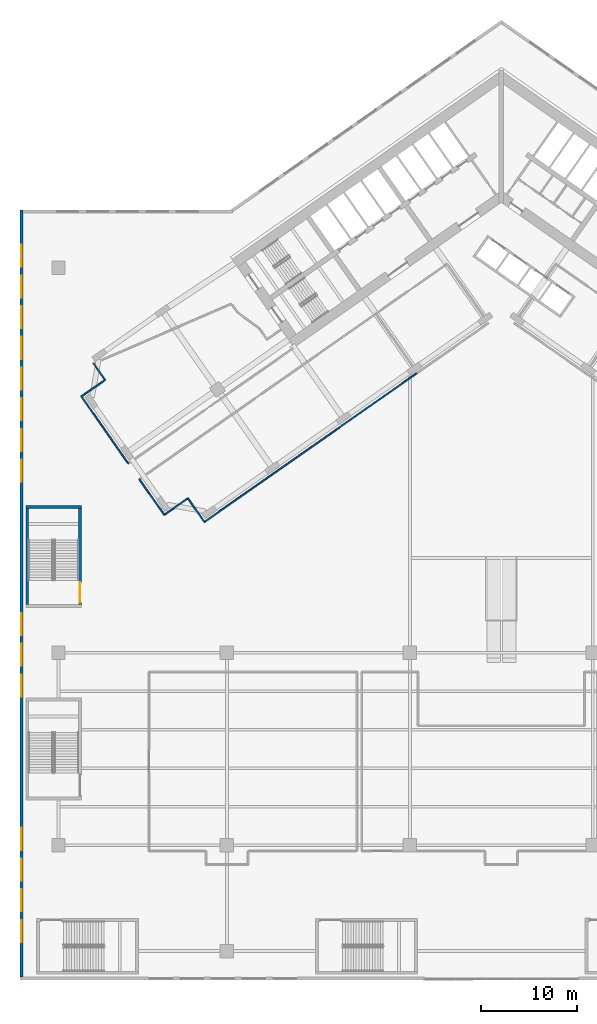
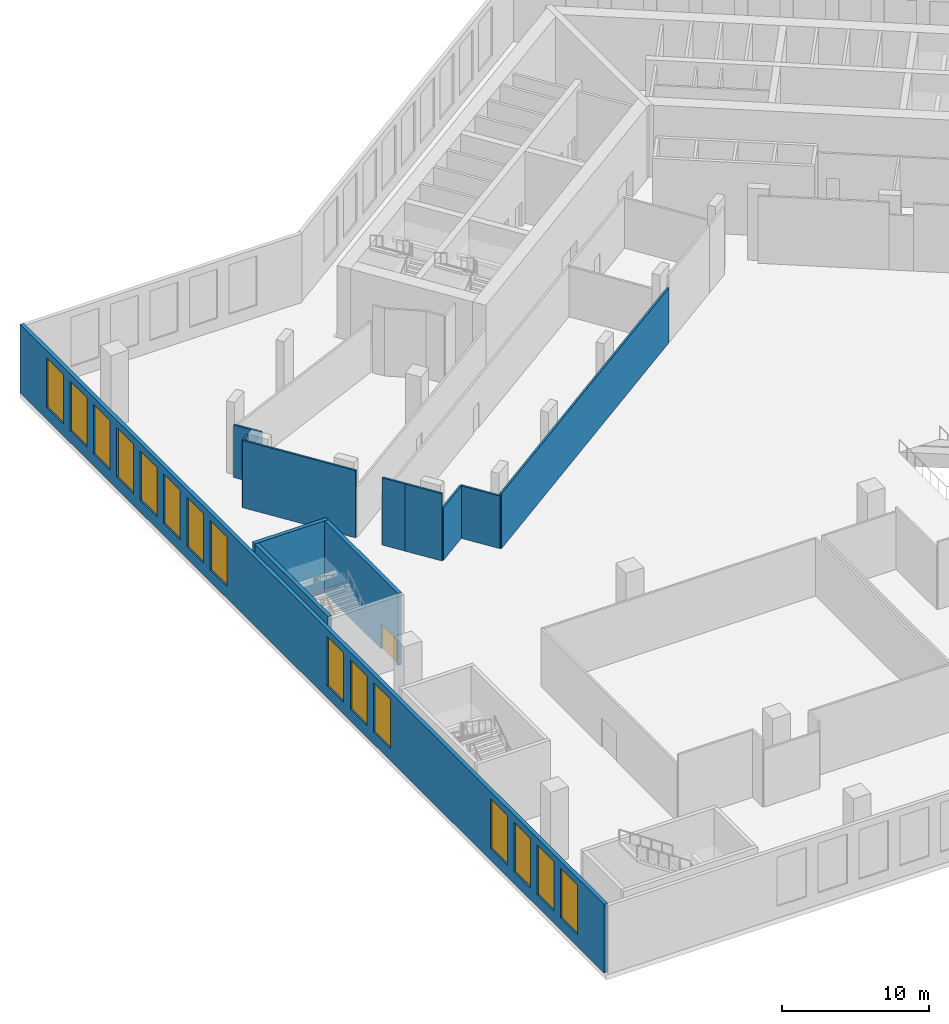
# One storey, part 6 of 25: 15 windows, 13 walls, 1 door, 16 openings.
"""IFC4 building model written with IfcOpenShell, lengths in metres."""

import ifcopenshell
import ifcopenshell.guid

model = None  # the IFC model being written
_history = None  # IfcOwnerHistory: only IFC2X3 demands one
_inside = {}  # id of a spatial element -> (the spatial element, [elements in it])
_under = {}  # id of a project, library or spatial element -> (it, [spatial elements below it])
_declared = {}  # id of a project -> (the project, [libraries it declares])
_typed = {}  # id of a type object -> (the type object, [elements of that type])
_made_of = {}  # id of a material, layer set ... -> (it, [elements and type objects made of it])


def new_model(schema):
    """Start an empty IFC model of exactly this schema.

    Asked for "IFC4X3", IfcOpenShell would pick the latest addendum, in which some entities
    have other attributes; the version numbers below select the first issue.
    IFC2X3 requires an IfcOwnerHistory on every rooted entity: one is made here for all.
    """
    global model, _history
    if schema == "IFC4X3":
        model = ifcopenshell.file(schema_version=(4, 3, 0, 0))
    else:
        model = ifcopenshell.file(schema=schema)
    _inside.clear()
    _under.clear()
    _declared.clear()
    _typed.clear()
    _made_of.clear()
    _history = None
    if model.schema == "IFC2X3":
        org = make("IfcOrganization", Name="unknown")
        user = make(
            "IfcPersonAndOrganization",
            ThePerson=make("IfcPerson", FamilyName="unknown"),
            TheOrganization=org,
        )
        app = make(
            "IfcApplication",
            ApplicationDeveloper=org,
            Version="unknown",
            ApplicationFullName="unknown",
            ApplicationIdentifier="unknown",
        )
        _history = make(
            "IfcOwnerHistory",
            OwningUser=user,
            OwningApplication=app,
            ChangeAction="ADDED",
            CreationDate=0,
        )
    return model


def make(cls, **values):
    """One entity of the class cls with the attributes given. An attribute that is None is left unset."""
    return model.create_entity(
        cls, **{name: value for name, value in values.items() if value is not None}
    )


def rooted(cls, **values):
    """An entity with a GlobalId (a new one), such as an element, a storey or a relation."""
    return make(cls, GlobalId=ifcopenshell.guid.new(), OwnerHistory=_history, **values)


def si_unit(unit_type, name, prefix=None):
    """IfcSIUnit, for example si_unit("LENGTHUNIT", "METRE", prefix="MILLI")."""
    return make("IfcSIUnit", UnitType=unit_type, Prefix=prefix, Name=name)


def assignment(units):
    """IfcUnitAssignment: the units of a project."""
    return None if units is None else make("IfcUnitAssignment", Units=units)


def point(xyz):
    """IfcCartesianPoint."""
    return None if xyz is None else make("IfcCartesianPoint", Coordinates=xyz)


def direction(xyz):
    """IfcDirection."""
    return None if xyz is None else make("IfcDirection", DirectionRatios=xyz)


def frame(location, z_axis=None, x_axis=None):
    """IfcAxis2Placement3D, a coordinate frame: its origin and axes. An axis left out is left unset."""
    return make(
        "IfcAxis2Placement3D",
        Location=point(location),
        Axis=direction(z_axis),
        RefDirection=direction(x_axis),
    )


def frame_2d(location, x_axis=None):
    """IfcAxis2Placement2D, a coordinate frame in the plane: its origin and x axis."""
    return make(
        "IfcAxis2Placement2D", Location=point(location), RefDirection=direction(x_axis)
    )


def origin():
    """The frame at (0, 0, 0) with its axes left unset."""
    return frame((0.0, 0.0, 0.0))


def place(relative_to, where):
    """IfcLocalPlacement: puts the frame where relative to a parent placement (None: the world)."""
    return make(
        "IfcLocalPlacement", PlacementRelTo=relative_to, RelativePlacement=where
    )


def context(
    kind, dimensions, precision=None, world=None, true_north=None, identifier=None
):
    """IfcGeometricRepresentationContext, for example the 3D "Model" context."""
    return make(
        "IfcGeometricRepresentationContext",
        ContextIdentifier=identifier,
        ContextType=kind,
        CoordinateSpaceDimension=dimensions,
        Precision=precision,
        WorldCoordinateSystem=world,
        TrueNorth=true_north,
    )


def subcontext(parent, identifier, kind, view, scale=None):
    """IfcGeometricRepresentationSubContext, for example "Body" below "Model"."""
    return make(
        "IfcGeometricRepresentationSubContext",
        ContextIdentifier=identifier,
        ContextType=kind,
        ParentContext=parent,
        TargetScale=scale,
        TargetView=view,
    )


def project(units=None, contexts=None):
    """IfcProject with its units and contexts."""
    return rooted(
        "IfcProject",
        Name="project",
        RepresentationContexts=contexts,
        UnitsInContext=assignment(units),
    )


def spatial(cls, under=None, at=None, **own):
    """A site, building, storey or space (cls), placed at a placement, below another one or the project."""
    s = rooted(cls, ObjectPlacement=at, **own)
    if under is not None:
        _under.setdefault(under.id(), (under, []))[1].append(s)
    return s


def profile(cls, at=None, kind="AREA", **sizes):
    """A parametric profile (cls). Its sizes go by their IFC names, for example OverallWidth=200.0."""
    return make(cls, ProfileType=kind, Position=at, **sizes)


def rectangle(**sizes):
    """IfcRectangleProfileDef."""
    return profile("IfcRectangleProfileDef", **sizes)


def extrude(swept, where, along, depth):
    """IfcExtrudedAreaSolid: the profile swept, set in the frame where, extruded along a direction by depth."""
    return make(
        "IfcExtrudedAreaSolid",
        SweptArea=swept,
        Position=where,
        ExtrudedDirection=direction(along),
        Depth=depth,
    )


def shape(context_of_items, identifier, shape_type, items):
    """IfcShapeRepresentation: the items that make up one representation, for example the "Body"."""
    return make(
        "IfcShapeRepresentation",
        ContextOfItems=context_of_items,
        RepresentationIdentifier=identifier,
        RepresentationType=shape_type,
        Items=items,
    )


def material(Name=None, Category=None):
    """IfcMaterial."""
    return make("IfcMaterial", Name=Name, Category=Category)


def layer(
    of_material, thickness, ventilated=None, Name=None, Category=None, Priority=None
):
    """IfcMaterialLayer: one layer of a wall or slab, of a material (None: an air gap)."""
    return make(
        "IfcMaterialLayer",
        Material=of_material,
        LayerThickness=thickness,
        IsVentilated=ventilated,
        Name=Name,
        Category=Category,
        Priority=Priority,
    )


def layer_set(layers, Name=None):
    """IfcMaterialLayerSet."""
    return make("IfcMaterialLayerSet", MaterialLayers=layers, LayerSetName=Name)


def made_of(thing, what):
    """Note that an element or type object is made of a material, layer set ...; save() writes the relation."""
    if what is not None:
        _made_of.setdefault(what.id(), (what, []))[1].append(thing)
    return thing


def type_object(cls, material=None, **own):
    """A type object (cls), such as IfcWallType, which elements share."""
    return made_of(rooted(cls, **own), material)


def element(
    cls,
    number,
    at=None,
    inside=None,
    cuts=None,
    type_object=None,
    material=None,
    context=None,
    identifier="Body",
    shape_type=None,
    held_by="IfcProductDefinitionShape",
    body=None,
    shapes=None,
    **own,
):
    """One element of the class cls, such as IfcWall. Its Tag is "e" and its number.

    at: its placement. inside: the storey or other place that contains it. cuts: it is an
    opening in that element (IfcRelVoidsElement). A single representation is given by context,
    identifier, shape_type and body (its items); several are given by shapes. held_by: the class
    of the entity that holds the representations. save() writes the other relations.
    """
    e = rooted(cls, Tag="e%d" % number, ObjectPlacement=at, **own)
    if body is not None:
        shapes = [shape(context, identifier, shape_type, body)]
    if shapes is not None:
        e.Representation = make(held_by, Representations=shapes)
    if inside is not None:
        _inside.setdefault(inside.id(), (inside, []))[1].append(e)
    if cuts is not None:
        rooted(
            "IfcRelVoidsElement", RelatingBuildingElement=cuts, RelatedOpeningElement=e
        )
    if type_object is not None:
        _typed.setdefault(type_object.id(), (type_object, []))[1].append(e)
    return made_of(e, material)


def fill(opening, filler):
    """IfcRelFillsElement: the door or window that sits in an opening."""
    return rooted(
        "IfcRelFillsElement",
        RelatingOpeningElement=opening,
        RelatedBuildingElement=filler,
    )


def aggregate(whole, parts):
    """IfcRelAggregates: a whole, such as a stair, and the parts it consists of."""
    return rooted("IfcRelAggregates", RelatingObject=whole, RelatedObjects=parts)


def save(model, path):
    """Write the relations noted so far, then the file.

    IfcRelAggregates (storeys below a building ...), IfcRelContainedInSpatialStructure (elements
    in a storey), IfcRelDefinesByType, IfcRelAssociatesMaterial and IfcRelDeclares: one each for
    every whole, place, type object, material and project.
    """
    for whole, parts in _under.values():
        aggregate(whole, parts)
    for where, things in _inside.values():
        rooted(
            "IfcRelContainedInSpatialStructure",
            RelatedElements=things,
            RelatingStructure=where,
        )
    for kind, things in _typed.values():
        rooted("IfcRelDefinesByType", RelatedObjects=things, RelatingType=kind)
    for what, things in _made_of.values():
        rooted("IfcRelAssociatesMaterial", RelatedObjects=things, RelatingMaterial=what)
    for by, libraries in _declared.values():
        rooted("IfcRelDeclares", RelatingContext=by, RelatedDefinitions=libraries)
    model.write(path)


model = new_model("IFC4")

# Units and contexts
model_context = context("Model", 3, precision=1e-05, world=origin(), true_north=direction((0.0, 1.0)))
body_context = subcontext(model_context, "Body", "Model", "MODEL_VIEW")
ifc_project = project(units=[si_unit("LENGTHUNIT", "METRE"), si_unit("AREAUNIT", "SQUARE_METRE"), si_unit("VOLUMEUNIT", "CUBIC_METRE"), si_unit("PLANEANGLEUNIT", "RADIAN"), si_unit("MASSUNIT", "GRAM", prefix="KILO")], contexts=[model_context])

# Site, building, storey
site_placement = place(None, origin())
site = spatial("IfcSite", under=ifc_project, at=site_placement, CompositionType="ELEMENT")
building_placement = place(site_placement, origin())
building = spatial("IfcBuilding", under=site, at=building_placement, Name="Tel Ilan Convention Tower", CompositionType="ELEMENT")
storey_placement = place(building_placement, frame((0.0, 0.0, 26.0)))
storey = spatial("IfcBuildingStorey", under=building, at=storey_placement, Name="L03", CompositionType="ELEMENT", Elevation=26.0)

# Walls
ifc_material_1 = material(Name="Plasterboard on Steel Studs", Category="steel")
ifc_layer_1 = layer(ifc_material_1, 0.14990234375)
ifc_layer_set_1 = layer_set([ifc_layer_1], Name="Fire-rated Partition 150 EI 60")
wall_type_1 = type_object("IfcWallType", Name="Fire-rated Partition 150 EI 60", PredefinedType="PARTITIONING", material=ifc_layer_set_1)
wall_1_placement = place(storey_placement, frame((-35.016845703125, -33.676025390625, 0.0), z_axis=(0.0, 0.0, 1.0), x_axis=(0.81917072002, 0.573549763719, 0.0)))
element("IfcWall", 1, at=wall_1_placement, inside=storey, type_object=wall_type_1, Name="Partition 040", PredefinedType="PARTITIONING", context=body_context, shape_type="SweptSolid", body=[
    extrude(rectangle(XDim=2.998779296875, YDim=0.14990234375, at=frame_2d((1.49951171875, 0.0))), origin(), (0.0, 0.0, 1.0), 4.3798828125),
])
wall_2_placement = place(storey_placement, frame((-32.560302734375, -31.9560546875, 0.0), z_axis=(0.0, 0.0, 1.0), x_axis=(0.573604390867, -0.819132469615, 0.0)))
element("IfcWall", 2, at=wall_2_placement, inside=storey, type_object=wall_type_1, Name="Partition 041", PredefinedType="PARTITIONING", context=body_context, shape_type="SweptSolid", body=[
    extrude(rectangle(XDim=2.9990234375, YDim=0.14990234375, at=frame_2d((1.49951171875, 0.0))), origin(), (0.0, 0.0, 1.0), 4.3798828125),
])
wall_3_placement = place(storey_placement, frame((-30.838623046875, -34.412841796875, 0.0), z_axis=(0.0, 0.0, 1.0), x_axis=(0.819150779762, 0.573578242279, 0.0)))
element("IfcWall", 3, at=wall_3_placement, inside=storey, type_object=wall_type_1, Name="Partition 042", PredefinedType="PARTITIONING", context=body_context, shape_type="SweptSolid", body=[
    extrude(rectangle(XDim=27.001708984375, YDim=0.14990234375, at=frame_2d((13.5009765625, 0.0))), origin(), (0.0, 0.0, 1.0), 4.580078125),
])
wall_4_placement = place(storey_placement, frame((-36.59912109375, -31.41845703125, 0.0), z_axis=(0.0, 0.0, 1.0), x_axis=(0.57362881286, -0.819115367367, 0.0)))
element("IfcWall", 4, at=wall_4_placement, inside=storey, type_object=wall_type_1, Name="Partition 043", PredefinedType="PARTITIONING", context=body_context, shape_type="SweptSolid", body=[
    extrude(rectangle(XDim=2.755859375, YDim=0.14990234375, at=frame_2d((1.3779296875, 0.0))), origin(), (0.0, 0.0, 1.0), 5.60009765625),
])
wall_5_placement = place(storey_placement, frame((-42.359375, -17.96142578125, 0.0), z_axis=(0.0, 0.0, 1.0), x_axis=(0.573603984281, -0.819132754331, 0.0)))
element("IfcWall", 5, at=wall_5_placement, inside=storey, type_object=wall_type_1, Name="Partition 046", PredefinedType="PARTITIONING", context=body_context, shape_type="SweptSolid", body=[
    extrude(rectangle(XDim=2.082275390625, YDim=0.14990234375, at=frame_2d((1.041015625, 0.0))), origin(), (0.0, 0.0, 1.0), 4.3798828125),
])
wall_6_placement = place(storey_placement, frame((-41.1650390625, -19.6669921875, 0.0), z_axis=(0.0, 0.0, 1.0), x_axis=(-0.819149945048, -0.573579434366, 0.0)))
element("IfcWall", 6, at=wall_6_placement, inside=storey, type_object=wall_type_1, Name="Partition 047", PredefinedType="PARTITIONING", context=body_context, shape_type="SweptSolid", body=[
    extrude(rectangle(XDim=2.23876953125, YDim=0.14990234375, at=frame_2d((1.119384765625, 0.0))), origin(), (0.0, 0.0, 1.0), 4.3798828125),
])
wall_7_placement = place(storey_placement, frame((-43.621826171875, -21.38720703125, 0.0), z_axis=(0.0, 0.0, 1.0), x_axis=(0.573487395822, -0.819214383928, 0.0)))
element("IfcWall", 7, at=wall_7_placement, inside=storey, type_object=wall_type_1, Name="Partition 062", PredefinedType="PARTITIONING", context=body_context, shape_type="SweptSolid", body=[
    extrude(rectangle(XDim=8.502685546875, YDim=0.14990234375, at=frame_2d((4.25146484375, 0.0))), origin(), (0.0, 0.0, 1.0), 5.60009765625),
])
wall_8_placement = place(storey_placement, frame((-43.0, -20.951904296875, 0.0), z_axis=(0.0, 0.0, 1.0), x_axis=(-0.819216809636, -0.573483930734, 0.0)))
element("IfcWall", 8, at=wall_8_placement, inside=storey, type_object=wall_type_1, Name="Partition 063", PredefinedType="PARTITIONING", context=body_context, shape_type="SweptSolid", body=[
    extrude(rectangle(XDim=0.759033203125, YDim=0.14990234375, at=frame_2d((0.37939453125, 0.0))), origin(), (0.0, 0.0, 1.0), 5.60009765625),
])
wall_9_placement = place(storey_placement, frame((-37.600341796875, -29.98828125, 0.0), z_axis=(0.0, 0.0, 1.0), x_axis=(0.573518712821, -0.819192459709, 0.0)))
element("IfcWall", 9, at=wall_9_placement, inside=storey, type_object=wall_type_1, Name="Partition 064", PredefinedType="PARTITIONING", context=body_context, shape_type="SweptSolid", body=[
    extrude(rectangle(XDim=1.744140625, YDim=0.14990234375, at=frame_2d((0.8720703125, 0.0))), origin(), (0.0, 0.0, 1.0), 5.60009765625),
])

# Wall, openings, windows
ifc_material_2 = material(Name="Bronze aluminium cladding panel on insulated steel frame", Category="steel")
ifc_layer_2 = layer(ifc_material_2, 0.300048828125)
ifc_layer_set_2 = layer_set([ifc_layer_2], Name="PODIUM CLADDING WALL 300")
wall_type_2 = type_object("IfcWallType", Name="PODIUM CLADDING WALL 300", PredefinedType="SOLIDWALL", material=ifc_layer_set_2)
wall_10_placement = place(storey_placement, frame((-49.85009765625, -81.699951171875, 0.0), z_axis=(0.0, 0.0, 1.0), x_axis=(0.0, 1.0, 0.0)))
wall_10 = element("IfcWall", 10, at=wall_10_placement, inside=storey, type_object=wall_type_2, Name="Podium cladding wall", PredefinedType="SOLIDWALL", context=body_context, shape_type="SweptSolid", body=[
    extrude(rectangle(XDim=79.699951171875, YDim=0.300048828125, at=frame_2d((39.85009765625, 0.0))), origin(), (0.0, 0.0, 1.0), 5.719970703125),
])
opening_1_placement = place(wall_10_placement, frame((3.637939453125, 0.0, 1.0)))
opening_1 = element("IfcOpeningElement", 11, at=opening_1_placement, cuts=wall_10, Name="Opening W-06.011", PredefinedType="OPENING", context=body_context, shape_type="SweptSolid", body=[
    extrude(rectangle(XDim=2.2880859375, YDim=4.1201171875, at=frame_2d((1.14404296875, 2.06005859375))), frame((0.0, 0.159912109375, 0.0), z_axis=(0.0, -1.0, 0.0), x_axis=(1.0, 0.0, 0.0)), (0.0, 0.0, 1.0), 0.320068359375),
])
opening_2_placement = place(wall_10_placement, frame((6.825927734375, 0.0, 1.0)))
opening_2 = element("IfcOpeningElement", 12, at=opening_2_placement, cuts=wall_10, Name="Opening W-06.012", PredefinedType="OPENING", context=body_context, shape_type="SweptSolid", body=[
    extrude(rectangle(XDim=2.2880859375, YDim=4.1201171875, at=frame_2d((1.14404296875, 2.06005859375))), frame((0.0, 0.159912109375, 0.0), z_axis=(0.0, -1.0, 0.0), x_axis=(1.0, 0.0, 0.0)), (0.0, 0.0, 1.0), 0.320068359375),
])
opening_3_placement = place(wall_10_placement, frame((10.013916015625, 0.0, 1.0)))
opening_3 = element("IfcOpeningElement", 13, at=opening_3_placement, cuts=wall_10, Name="Opening W-06.013", PredefinedType="OPENING", context=body_context, shape_type="SweptSolid", body=[
    extrude(rectangle(XDim=2.2880859375, YDim=4.1201171875, at=frame_2d((1.14404296875, 2.06005859375))), frame((0.0, 0.159912109375, 0.0), z_axis=(0.0, -1.0, 0.0), x_axis=(1.0, 0.0, 0.0)), (0.0, 0.0, 1.0), 0.320068359375),
])
opening_4_placement = place(wall_10_placement, frame((13.201904296875, 0.0, 1.0)))
opening_4 = element("IfcOpeningElement", 14, at=opening_4_placement, cuts=wall_10, Name="Opening W-06.014", PredefinedType="OPENING", context=body_context, shape_type="SweptSolid", body=[
    extrude(rectangle(XDim=2.2880859375, YDim=4.1201171875, at=frame_2d((1.14404296875, 2.06005859375))), frame((0.0, 0.159912109375, 0.0), z_axis=(0.0, -1.0, 0.0), x_axis=(1.0, 0.0, 0.0)), (0.0, 0.0, 1.0), 0.320068359375),
])
opening_5_placement = place(wall_10_placement, frame((29.14208984375, 0.0, 1.0)))
opening_5 = element("IfcOpeningElement", 15, at=opening_5_placement, cuts=wall_10, Name="Opening W-06.015", PredefinedType="OPENING", context=body_context, shape_type="SweptSolid", body=[
    extrude(rectangle(XDim=2.2880859375, YDim=4.1201171875, at=frame_2d((1.14404296875, 2.06005859375))), frame((0.0, 0.159912109375, 0.0), z_axis=(0.0, -1.0, 0.0), x_axis=(1.0, 0.0, 0.0)), (0.0, 0.0, 1.0), 0.320068359375),
])
opening_6_placement = place(wall_10_placement, frame((32.330078125, 0.0, 1.0)))
opening_6 = element("IfcOpeningElement", 16, at=opening_6_placement, cuts=wall_10, Name="Opening W-06.016", PredefinedType="OPENING", context=body_context, shape_type="SweptSolid", body=[
    extrude(rectangle(XDim=2.2880859375, YDim=4.1201171875, at=frame_2d((1.14404296875, 2.06005859375))), frame((0.0, 0.159912109375, 0.0), z_axis=(0.0, -1.0, 0.0), x_axis=(1.0, 0.0, 0.0)), (0.0, 0.0, 1.0), 0.320068359375),
])
opening_7_placement = place(wall_10_placement, frame((35.51806640625, 0.0, 1.0)))
opening_7 = element("IfcOpeningElement", 17, at=opening_7_placement, cuts=wall_10, Name="Opening W-06.017", PredefinedType="OPENING", context=body_context, shape_type="SweptSolid", body=[
    extrude(rectangle(XDim=2.2880859375, YDim=4.1201171875, at=frame_2d((1.14404296875, 2.06005859375))), frame((0.0, 0.159912109375, 0.0), z_axis=(0.0, -1.0, 0.0), x_axis=(1.0, 0.0, 0.0)), (0.0, 0.0, 1.0), 0.320068359375),
])
opening_8_placement = place(wall_10_placement, frame((51.4580078125, 0.0, 1.0)))
opening_8 = element("IfcOpeningElement", 18, at=opening_8_placement, cuts=wall_10, Name="Opening W-06.018", PredefinedType="OPENING", context=body_context, shape_type="SweptSolid", body=[
    extrude(rectangle(XDim=2.2880859375, YDim=4.1201171875, at=frame_2d((1.14404296875, 2.06005859375))), frame((0.0, 0.159912109375, 0.0), z_axis=(0.0, -1.0, 0.0), x_axis=(1.0, 0.0, 0.0)), (0.0, 0.0, 1.0), 0.320068359375),
])
opening_9_placement = place(wall_10_placement, frame((54.64599609375, 0.0, 1.0)))
opening_9 = element("IfcOpeningElement", 19, at=opening_9_placement, cuts=wall_10, Name="Opening W-06.019", PredefinedType="OPENING", context=body_context, shape_type="SweptSolid", body=[
    extrude(rectangle(XDim=2.2880859375, YDim=4.1201171875, at=frame_2d((1.14404296875, 2.06005859375))), frame((0.0, 0.159912109375, 0.0), z_axis=(0.0, -1.0, 0.0), x_axis=(1.0, 0.0, 0.0)), (0.0, 0.0, 1.0), 0.320068359375),
])
opening_10_placement = place(wall_10_placement, frame((57.833984375, 0.0, 1.0)))
opening_10 = element("IfcOpeningElement", 20, at=opening_10_placement, cuts=wall_10, Name="Opening W-06.020", PredefinedType="OPENING", context=body_context, shape_type="SweptSolid", body=[
    extrude(rectangle(XDim=2.2880859375, YDim=4.1201171875, at=frame_2d((1.14404296875, 2.06005859375))), frame((0.0, 0.159912109375, 0.0), z_axis=(0.0, -1.0, 0.0), x_axis=(1.0, 0.0, 0.0)), (0.0, 0.0, 1.0), 0.320068359375),
])
opening_11_placement = place(wall_10_placement, frame((61.02197265625, 0.0, 1.0)))
opening_11 = element("IfcOpeningElement", 21, at=opening_11_placement, cuts=wall_10, Name="Opening W-06.021", PredefinedType="OPENING", context=body_context, shape_type="SweptSolid", body=[
    extrude(rectangle(XDim=2.2880859375, YDim=4.1201171875, at=frame_2d((1.14404296875, 2.06005859375))), frame((0.0, 0.159912109375, 0.0), z_axis=(0.0, -1.0, 0.0), x_axis=(1.0, 0.0, 0.0)), (0.0, 0.0, 1.0), 0.320068359375),
])
opening_12_placement = place(wall_10_placement, frame((64.2099609375, 0.0, 1.0)))
opening_12 = element("IfcOpeningElement", 22, at=opening_12_placement, cuts=wall_10, Name="Opening W-06.022", PredefinedType="OPENING", context=body_context, shape_type="SweptSolid", body=[
    extrude(rectangle(XDim=2.2880859375, YDim=4.1201171875, at=frame_2d((1.14404296875, 2.06005859375))), frame((0.0, 0.159912109375, 0.0), z_axis=(0.0, -1.0, 0.0), x_axis=(1.0, 0.0, 0.0)), (0.0, 0.0, 1.0), 0.320068359375),
])
opening_13_placement = place(wall_10_placement, frame((67.39794921875, 0.0, 1.0)))
opening_13 = element("IfcOpeningElement", 23, at=opening_13_placement, cuts=wall_10, Name="Opening W-06.023", PredefinedType="OPENING", context=body_context, shape_type="SweptSolid", body=[
    extrude(rectangle(XDim=2.2880859375, YDim=4.1201171875, at=frame_2d((1.14404296875, 2.06005859375))), frame((0.0, 0.159912109375, 0.0), z_axis=(0.0, -1.0, 0.0), x_axis=(1.0, 0.0, 0.0)), (0.0, 0.0, 1.0), 0.320068359375),
])
opening_14_placement = place(wall_10_placement, frame((70.5859375, 0.0, 1.0)))
opening_14 = element("IfcOpeningElement", 24, at=opening_14_placement, cuts=wall_10, Name="Opening W-06.024", PredefinedType="OPENING", context=body_context, shape_type="SweptSolid", body=[
    extrude(rectangle(XDim=2.2880859375, YDim=4.1201171875, at=frame_2d((1.14404296875, 2.06005859375))), frame((0.0, 0.159912109375, 0.0), z_axis=(0.0, -1.0, 0.0), x_axis=(1.0, 0.0, 0.0)), (0.0, 0.0, 1.0), 0.320068359375),
])
opening_15_placement = place(wall_10_placement, frame((73.77392578125, 0.0, 1.0)))
opening_15 = element("IfcOpeningElement", 25, at=opening_15_placement, cuts=wall_10, Name="Opening W-06.025", PredefinedType="OPENING", context=body_context, shape_type="SweptSolid", body=[
    extrude(rectangle(XDim=2.2880859375, YDim=4.1201171875, at=frame_2d((1.14404296875, 2.06005859375))), frame((0.0, 0.159912109375, 0.0), z_axis=(0.0, -1.0, 0.0), x_axis=(1.0, 0.0, 0.0)), (0.0, 0.0, 1.0), 0.320068359375),
])
ifc_material_3 = material(Name="Aluminium framed glazing, bronze anodised, tinted glass", Category="aluminium")
window_type = type_object("IfcWindowType", Name="PODIUM WINDOW 2288x4120", PartitioningType="SINGLE_PANEL", PredefinedType="WINDOW", material=ifc_material_3)
window_1_placement = place(opening_1_placement, origin())
window_1 = element("IfcWindow", 26, at=window_1_placement, inside=storey, type_object=window_type, Name="Podium window", OverallHeight=4.1201171875, OverallWidth=2.2880859375, PartitioningType="SINGLE_PANEL", PredefinedType="WINDOW", context=body_context, shape_type="SweptSolid", body=[
    extrude(rectangle(XDim=2.2880859375, YDim=4.1201171875, at=frame_2d((1.14404296875, 2.06005859375))), frame((0.0, 0.030029296875, 0.0), z_axis=(0.0, -1.0, 0.0), x_axis=(1.0, 0.0, 0.0)), (0.0, 0.0, 1.0), 0.06005859375),
])
fill(opening_1, window_1)
window_2_placement = place(opening_2_placement, origin())
window_2 = element("IfcWindow", 27, at=window_2_placement, inside=storey, type_object=window_type, Name="Podium window", OverallHeight=4.1201171875, OverallWidth=2.2880859375, PartitioningType="SINGLE_PANEL", PredefinedType="WINDOW", context=body_context, shape_type="SweptSolid", body=[
    extrude(rectangle(XDim=2.2880859375, YDim=4.1201171875, at=frame_2d((1.14404296875, 2.06005859375))), frame((0.0, 0.030029296875, 0.0), z_axis=(0.0, -1.0, 0.0), x_axis=(1.0, 0.0, 0.0)), (0.0, 0.0, 1.0), 0.06005859375),
])
fill(opening_2, window_2)
window_3_placement = place(opening_3_placement, origin())
window_3 = element("IfcWindow", 28, at=window_3_placement, inside=storey, type_object=window_type, Name="Podium window", OverallHeight=4.1201171875, OverallWidth=2.2880859375, PartitioningType="SINGLE_PANEL", PredefinedType="WINDOW", context=body_context, shape_type="SweptSolid", body=[
    extrude(rectangle(XDim=2.2880859375, YDim=4.1201171875, at=frame_2d((1.14404296875, 2.06005859375))), frame((0.0, 0.030029296875, 0.0), z_axis=(0.0, -1.0, 0.0), x_axis=(1.0, 0.0, 0.0)), (0.0, 0.0, 1.0), 0.06005859375),
])
fill(opening_3, window_3)
window_4_placement = place(opening_4_placement, origin())
window_4 = element("IfcWindow", 29, at=window_4_placement, inside=storey, type_object=window_type, Name="Podium window", OverallHeight=4.1201171875, OverallWidth=2.2880859375, PartitioningType="SINGLE_PANEL", PredefinedType="WINDOW", context=body_context, shape_type="SweptSolid", body=[
    extrude(rectangle(XDim=2.2880859375, YDim=4.1201171875, at=frame_2d((1.14404296875, 2.06005859375))), frame((0.0, 0.030029296875, 0.0), z_axis=(0.0, -1.0, 0.0), x_axis=(1.0, 0.0, 0.0)), (0.0, 0.0, 1.0), 0.06005859375),
])
fill(opening_4, window_4)
window_5_placement = place(opening_5_placement, origin())
window_5 = element("IfcWindow", 30, at=window_5_placement, inside=storey, type_object=window_type, Name="Podium window", OverallHeight=4.1201171875, OverallWidth=2.2880859375, PartitioningType="SINGLE_PANEL", PredefinedType="WINDOW", context=body_context, shape_type="SweptSolid", body=[
    extrude(rectangle(XDim=2.2880859375, YDim=4.1201171875, at=frame_2d((1.14404296875, 2.06005859375))), frame((0.0, 0.030029296875, 0.0), z_axis=(0.0, -1.0, 0.0), x_axis=(1.0, 0.0, 0.0)), (0.0, 0.0, 1.0), 0.06005859375),
])
fill(opening_5, window_5)
window_6_placement = place(opening_6_placement, origin())
window_6 = element("IfcWindow", 31, at=window_6_placement, inside=storey, type_object=window_type, Name="Podium window", OverallHeight=4.1201171875, OverallWidth=2.2880859375, PartitioningType="SINGLE_PANEL", PredefinedType="WINDOW", context=body_context, shape_type="SweptSolid", body=[
    extrude(rectangle(XDim=2.2880859375, YDim=4.1201171875, at=frame_2d((1.14404296875, 2.06005859375))), frame((0.0, 0.030029296875, 0.0), z_axis=(0.0, -1.0, 0.0), x_axis=(1.0, 0.0, 0.0)), (0.0, 0.0, 1.0), 0.06005859375),
])
fill(opening_6, window_6)
window_7_placement = place(opening_7_placement, origin())
window_7 = element("IfcWindow", 32, at=window_7_placement, inside=storey, type_object=window_type, Name="Podium window", OverallHeight=4.1201171875, OverallWidth=2.2880859375, PartitioningType="SINGLE_PANEL", PredefinedType="WINDOW", context=body_context, shape_type="SweptSolid", body=[
    extrude(rectangle(XDim=2.2880859375, YDim=4.1201171875, at=frame_2d((1.14404296875, 2.06005859375))), frame((0.0, 0.030029296875, 0.0), z_axis=(0.0, -1.0, 0.0), x_axis=(1.0, 0.0, 0.0)), (0.0, 0.0, 1.0), 0.06005859375),
])
fill(opening_7, window_7)
window_8_placement = place(opening_8_placement, origin())
window_8 = element("IfcWindow", 33, at=window_8_placement, inside=storey, type_object=window_type, Name="Podium window", OverallHeight=4.1201171875, OverallWidth=2.2880859375, PartitioningType="SINGLE_PANEL", PredefinedType="WINDOW", context=body_context, shape_type="SweptSolid", body=[
    extrude(rectangle(XDim=2.2880859375, YDim=4.1201171875, at=frame_2d((1.14404296875, 2.06005859375))), frame((0.0, 0.030029296875, 0.0), z_axis=(0.0, -1.0, 0.0), x_axis=(1.0, 0.0, 0.0)), (0.0, 0.0, 1.0), 0.06005859375),
])
fill(opening_8, window_8)
window_9_placement = place(opening_9_placement, origin())
window_9 = element("IfcWindow", 34, at=window_9_placement, inside=storey, type_object=window_type, Name="Podium window", OverallHeight=4.1201171875, OverallWidth=2.2880859375, PartitioningType="SINGLE_PANEL", PredefinedType="WINDOW", context=body_context, shape_type="SweptSolid", body=[
    extrude(rectangle(XDim=2.2880859375, YDim=4.1201171875, at=frame_2d((1.14404296875, 2.06005859375))), frame((0.0, 0.030029296875, 0.0), z_axis=(0.0, -1.0, 0.0), x_axis=(1.0, 0.0, 0.0)), (0.0, 0.0, 1.0), 0.06005859375),
])
fill(opening_9, window_9)
window_10_placement = place(opening_10_placement, origin())
window_10 = element("IfcWindow", 35, at=window_10_placement, inside=storey, type_object=window_type, Name="Podium window", OverallHeight=4.1201171875, OverallWidth=2.2880859375, PartitioningType="SINGLE_PANEL", PredefinedType="WINDOW", context=body_context, shape_type="SweptSolid", body=[
    extrude(rectangle(XDim=2.2880859375, YDim=4.1201171875, at=frame_2d((1.14404296875, 2.06005859375))), frame((0.0, 0.030029296875, 0.0), z_axis=(0.0, -1.0, 0.0), x_axis=(1.0, 0.0, 0.0)), (0.0, 0.0, 1.0), 0.06005859375),
])
fill(opening_10, window_10)
window_11_placement = place(opening_11_placement, origin())
window_11 = element("IfcWindow", 36, at=window_11_placement, inside=storey, type_object=window_type, Name="Podium window", OverallHeight=4.1201171875, OverallWidth=2.2880859375, PartitioningType="SINGLE_PANEL", PredefinedType="WINDOW", context=body_context, shape_type="SweptSolid", body=[
    extrude(rectangle(XDim=2.2880859375, YDim=4.1201171875, at=frame_2d((1.14404296875, 2.06005859375))), frame((0.0, 0.030029296875, 0.0), z_axis=(0.0, -1.0, 0.0), x_axis=(1.0, 0.0, 0.0)), (0.0, 0.0, 1.0), 0.06005859375),
])
fill(opening_11, window_11)
window_12_placement = place(opening_12_placement, origin())
window_12 = element("IfcWindow", 37, at=window_12_placement, inside=storey, type_object=window_type, Name="Podium window", OverallHeight=4.1201171875, OverallWidth=2.2880859375, PartitioningType="SINGLE_PANEL", PredefinedType="WINDOW", context=body_context, shape_type="SweptSolid", body=[
    extrude(rectangle(XDim=2.2880859375, YDim=4.1201171875, at=frame_2d((1.14404296875, 2.06005859375))), frame((0.0, 0.030029296875, 0.0), z_axis=(0.0, -1.0, 0.0), x_axis=(1.0, 0.0, 0.0)), (0.0, 0.0, 1.0), 0.06005859375),
])
fill(opening_12, window_12)
window_13_placement = place(opening_13_placement, origin())
window_13 = element("IfcWindow", 38, at=window_13_placement, inside=storey, type_object=window_type, Name="Podium window", OverallHeight=4.1201171875, OverallWidth=2.2880859375, PartitioningType="SINGLE_PANEL", PredefinedType="WINDOW", context=body_context, shape_type="SweptSolid", body=[
    extrude(rectangle(XDim=2.2880859375, YDim=4.1201171875, at=frame_2d((1.14404296875, 2.06005859375))), frame((0.0, 0.030029296875, 0.0), z_axis=(0.0, -1.0, 0.0), x_axis=(1.0, 0.0, 0.0)), (0.0, 0.0, 1.0), 0.06005859375),
])
fill(opening_13, window_13)
window_14_placement = place(opening_14_placement, origin())
window_14 = element("IfcWindow", 39, at=window_14_placement, inside=storey, type_object=window_type, Name="Podium window", OverallHeight=4.1201171875, OverallWidth=2.2880859375, PartitioningType="SINGLE_PANEL", PredefinedType="WINDOW", context=body_context, shape_type="SweptSolid", body=[
    extrude(rectangle(XDim=2.2880859375, YDim=4.1201171875, at=frame_2d((1.14404296875, 2.06005859375))), frame((0.0, 0.030029296875, 0.0), z_axis=(0.0, -1.0, 0.0), x_axis=(1.0, 0.0, 0.0)), (0.0, 0.0, 1.0), 0.06005859375),
])
fill(opening_14, window_14)
window_15_placement = place(opening_15_placement, origin())
window_15 = element("IfcWindow", 40, at=window_15_placement, inside=storey, type_object=window_type, Name="Podium window", OverallHeight=4.1201171875, OverallWidth=2.2880859375, PartitioningType="SINGLE_PANEL", PredefinedType="WINDOW", context=body_context, shape_type="SweptSolid", body=[
    extrude(rectangle(XDim=2.2880859375, YDim=4.1201171875, at=frame_2d((1.14404296875, 2.06005859375))), frame((0.0, 0.030029296875, 0.0), z_axis=(0.0, -1.0, 0.0), x_axis=(1.0, 0.0, 0.0)), (0.0, 0.0, 1.0), 0.06005859375),
])
fill(opening_15, window_15)

# Walls
ifc_material_4 = material(Name="Concrete C40/50", Category="concrete")
ifc_layer_3 = layer(ifc_material_4, 0.300048828125)
ifc_layer_set_3 = layer_set([ifc_layer_3], Name="Stair Enclosure Wall 300 mm C40/50")
wall_type_3 = type_object("IfcWallType", Name="Stair Enclosure Wall 300 mm C40/50", PredefinedType="SOLIDWALL", material=ifc_layer_set_3)
wall_11_placement = place(storey_placement, frame((-49.39990234375, -32.85009765625, 0.0), z_axis=(0.0, 0.0, 1.0), x_axis=(1.0, 0.0, 0.0)))
element("IfcWall", 41, at=wall_11_placement, inside=storey, type_object=wall_type_3, Name="P7 stair enclosure wall N L03", PredefinedType="SOLIDWALL", context=body_context, shape_type="SweptSolid", body=[
    extrude(rectangle(XDim=5.7998046875, YDim=0.300048828125, at=frame_2d((2.89990234375, 0.0))), origin(), (0.0, 0.0, 1.0), 6.0),
])
wall_12_placement = place(storey_placement, frame((-49.25, -43.0, 0.0), z_axis=(0.0, 0.0, 1.0), x_axis=(0.0, 1.0, 0.0)))
element("IfcWall", 42, at=wall_12_placement, inside=storey, type_object=wall_type_3, Name="P7 stair enclosure wall W L03", PredefinedType="SOLIDWALL", context=body_context, shape_type="SweptSolid", body=[
    extrude(rectangle(XDim=10.0, YDim=0.300048828125, at=frame_2d((5.0, 0.0))), origin(), (0.0, 0.0, 1.0), 6.0),
])

# Wall, opening, door
wall_13_placement = place(storey_placement, frame((-43.75, -43.0, 0.0), z_axis=(0.0, 0.0, 1.0), x_axis=(0.0, 1.0, 0.0)))
wall_13 = element("IfcWall", 43, at=wall_13_placement, inside=storey, type_object=wall_type_3, Name="P7 stair enclosure wall E L03", PredefinedType="SOLIDWALL", context=body_context, shape_type="SweptSolid", body=[
    extrude(rectangle(XDim=10.0, YDim=0.300048828125, at=frame_2d((5.0, 0.0))), origin(), (0.0, 0.0, 1.0), 6.0),
])
opening_16_placement = place(wall_13_placement, frame((0.21240234375, 0.0, 0.0)))
opening_16 = element("IfcOpeningElement", 44, at=opening_16_placement, cuts=wall_13, Name="Opening PD706", PredefinedType="OPENING", context=body_context, shape_type="SweptSolid", body=[
    extrude(rectangle(XDim=2.10009765625, YDim=2.10009765625, at=frame_2d((1.050048828125, 1.050048828125))), frame((0.0, 0.159912109375, 0.0), z_axis=(0.0, -1.0, 0.0), x_axis=(1.0, 0.0, 0.0)), (0.0, 0.0, 1.0), 0.320068359375),
])
ifc_material_5 = material(Name="Galvanised Steel Door Leaf", Category="steel")
door_type = type_object("IfcDoorType", Name="Stair Fire Door 2100 x 2100 FD60S", OperationType="NOTDEFINED", PredefinedType="DOOR", material=ifc_material_5)
door_placement = place(opening_16_placement, origin())
door = element("IfcDoor", 45, at=door_placement, inside=storey, type_object=door_type, Name="Stair P7 floor door", OperationType="DOUBLE_DOOR_SINGLE_SWING", OverallHeight=2.10009765625, OverallWidth=2.10009765625, PredefinedType="DOOR", context=body_context, shape_type="SweptSolid", body=[
    extrude(rectangle(XDim=2.10009765625, YDim=2.10009765625, at=frame_2d((1.050048828125, 1.050048828125))), frame((0.0, 0.02490234375, 0.0), z_axis=(0.0, -1.0, 0.0), x_axis=(1.0, 0.0, 0.0)), (0.0, 0.0, 1.0), 0.050048828125),
])
fill(opening_16, door)

save(model, "model.ifc")
